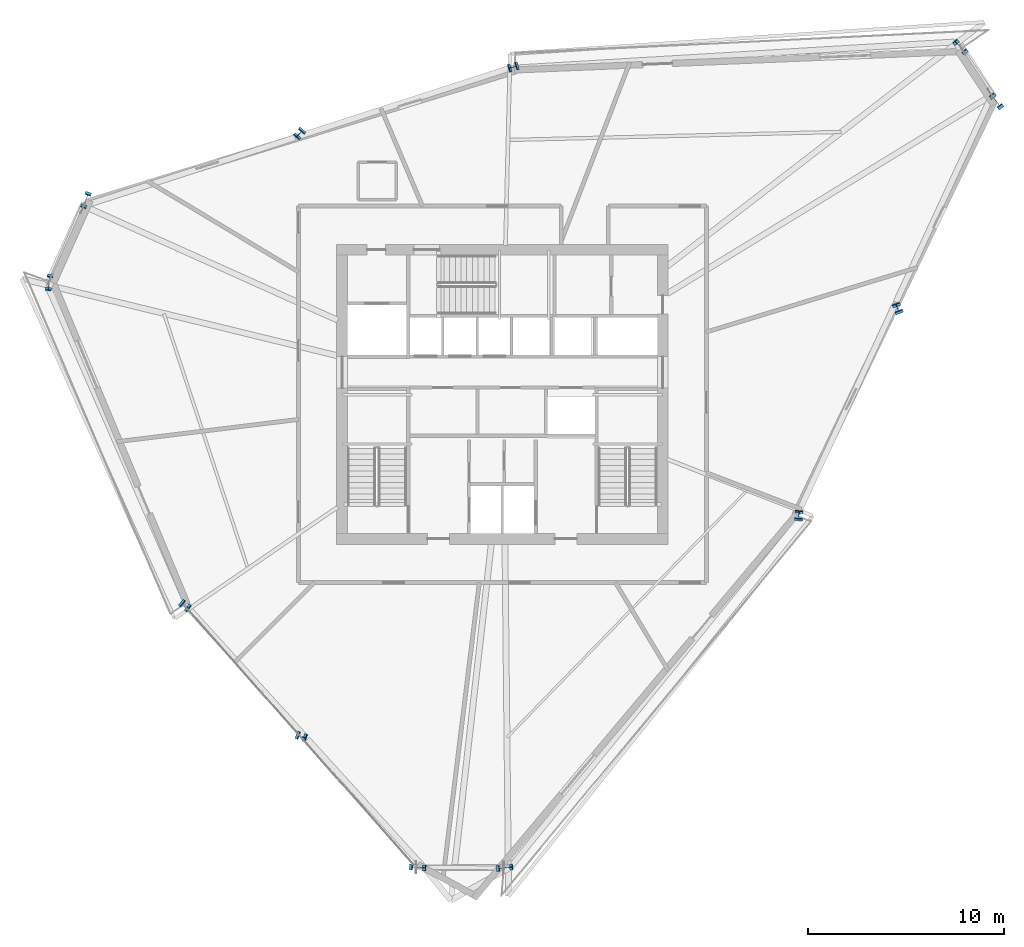
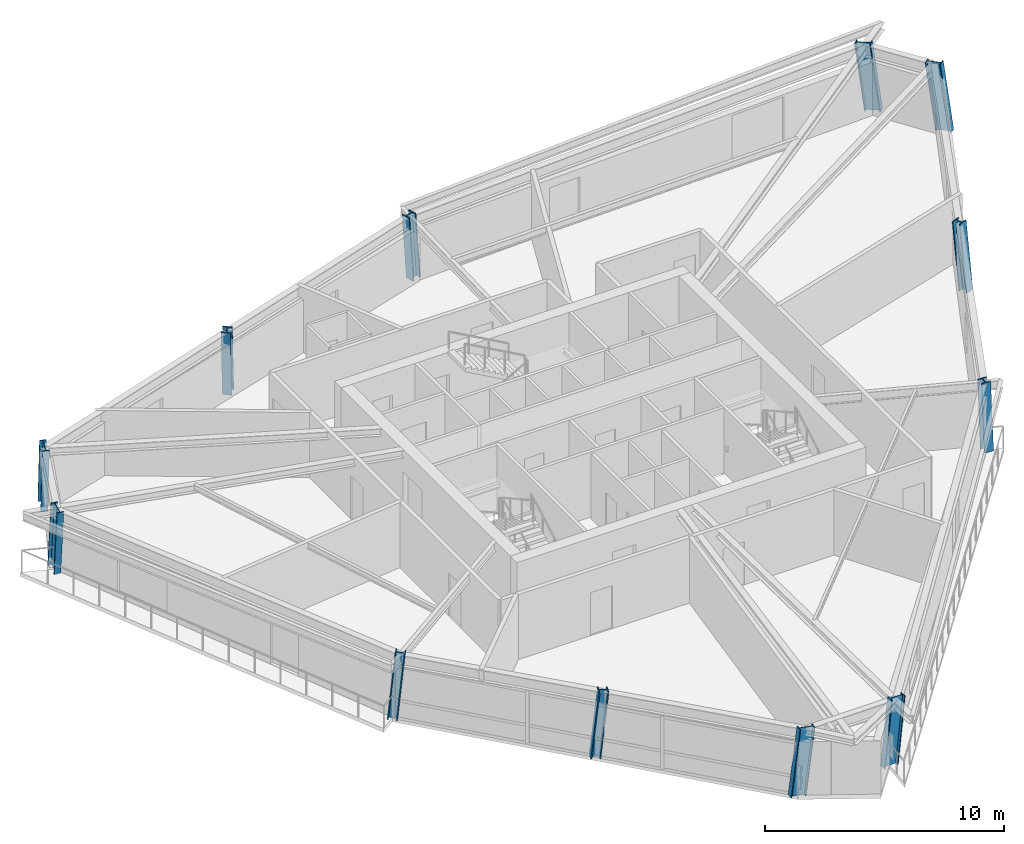
# One storey, part 1 of 13: 12 columns.
"""IFC4 building model written with IfcOpenShell, lengths in metres."""

from ifc_helpers import new_model, si_unit, direction, frame, origin, origin_2d, place, context, subcontext, project, spatial, i_section, extrude, source, transform, mapped, material, material_profile, profile_set, type_object, element, save


model = new_model("IFC4")

# Units and contexts
model_context = context("Model", 3, precision=1e-05, world=origin(), true_north=direction((0.0, 1.0)))
body_context = subcontext(model_context, "Body", "Model", "MODEL_VIEW")
ifc_project = project(units=[si_unit("LENGTHUNIT", "METRE"), si_unit("AREAUNIT", "SQUARE_METRE"), si_unit("VOLUMEUNIT", "CUBIC_METRE"), si_unit("PLANEANGLEUNIT", "RADIAN"), si_unit("MASSUNIT", "GRAM", prefix="KILO")], contexts=[model_context])

# Site, building, storey
site_placement = place(None, origin())
site = spatial("IfcSite", under=ifc_project, at=site_placement, CompositionType="ELEMENT")
building_placement = place(site_placement, origin())
building = spatial("IfcBuilding", under=site, at=building_placement, Name="Olszyna Solenne Hotel", CompositionType="ELEMENT")
storey_placement = place(building_placement, frame((0.0, 0.0, 171.449951171875)))
storey = spatial("IfcBuildingStorey", under=building, at=storey_placement, Name="L45", CompositionType="ELEMENT", Elevation=171.449951171875)

# Columns
ifc_material = material(Name="Steel S460M", Category="steel")
ifc_material_profile_1 = material_profile(ifc_material, i_section(OverallWidth=0.303955078125, OverallDepth=0.716064453125, WebThickness=0.02099609375, FlangeThickness=0.0400390625, at=origin_2d()), Name="HEM 700", Category="load-bearing")
ifc_profile_set_1 = profile_set([ifc_material_profile_1], Name="Steel S460M")
column_type_1 = type_object("IfcColumnType", Name="COL-K2", PredefinedType="COLUMN", material=ifc_profile_set_1)
shared_shape_1 = source(origin(), body_context, "Body", "SweptSolid", [
    extrude(i_section(OverallWidth=0.303955078125, OverallDepth=0.716064453125, WebThickness=0.02099609375, FlangeThickness=0.0400390625, at=origin_2d()), origin(), (0.0, 0.0, 1.0), 3.404296875),
])
column_1_placement = place(storey_placement, frame((38.05224609375, 2.450927734375, 0.0), z_axis=(0.105425268125, 0.01082939829, 0.99436826024), x_axis=(-0.102183402757, 0.994765576506, 0.0)))
element("IfcColumn", 1, at=column_1_placement, inside=storey, type_object=column_type_1, Name="Perimeter framed-tube column COL-K2 C-L45-10", PredefinedType="COLUMN", context=body_context, shape_type="MappedRepresentation", body=[
    mapped(shared_shape_1, transform((0.0, 0.0, 0.0), x_axis=(1.0, 0.0, 0.0), y_axis=(0.0, 1.0, 0.0), z_axis=(0.0, 0.0, 1.0), scale=1.0)),
])
ifc_material_profile_2 = material_profile(ifc_material, i_section(OverallWidth=0.412109375, OverallDepth=0.43505859375, WebThickness=0.031494140625, FlangeThickness=0.050048828125, at=origin_2d()), Name="HD 400x463", Category="load-bearing")
ifc_profile_set_2 = profile_set([ifc_material_profile_2], Name="Steel S460M")
column_type_2 = type_object("IfcColumnType", Name="COL-T3", PredefinedType="COLUMN", material=ifc_profile_set_2)
shared_shape_2 = source(origin(), body_context, "Body", "SweptSolid", [
    extrude(i_section(OverallWidth=0.412109375, OverallDepth=0.43505859375, WebThickness=0.031494140625, FlangeThickness=0.050048828125, at=origin_2d()), origin(), (0.0, 0.0, 1.0), 3.396240234375),
])
column_2_placement = place(storey_placement, frame((53.115478515625, 20.3701171875, 0.0), z_axis=(0.005750660519, 0.081443729594, 0.996661351119), x_axis=(-0.997516467009, 0.07043364286, 0.0)))
element("IfcColumn", 2, at=column_2_placement, inside=storey, type_object=column_type_2, Name="Perimeter framed-tube column COL-T3 C-L45-11", PredefinedType="COLUMN", context=body_context, shape_type="MappedRepresentation", body=[
    mapped(shared_shape_2, transform((0.0, 0.0, 0.0), x_axis=(1.0, 0.0, 0.0), y_axis=(0.0, 1.0, 0.0), z_axis=(0.0, 0.0, 1.0), scale=1.0)),
])
shared_shape_3 = source(origin(), body_context, "Body", "SweptSolid", [
    extrude(i_section(OverallWidth=0.412109375, OverallDepth=0.43505859375, WebThickness=0.031494140625, FlangeThickness=0.050048828125, at=origin_2d()), origin(), (0.0, 0.0, 1.0), 3.39794921875),
])
column_3_placement = place(storey_placement, frame((27.690185546875, 39.94189453125, 0.0), z_axis=(-0.057121293982, -0.065599674724, 0.996209737179), x_axis=(0.754160771495, -0.65668982841, 0.0)))
element("IfcColumn", 3, at=column_3_placement, inside=storey, type_object=column_type_2, Name="Perimeter framed-tube column COL-T3 C-L45-04", PredefinedType="COLUMN", context=body_context, shape_type="MappedRepresentation", body=[
    mapped(shared_shape_3, transform((0.0, 0.0, 0.0), x_axis=(1.0, 0.0, 0.0), y_axis=(0.0, 1.0, 0.0), z_axis=(0.0, 0.0, 1.0), scale=1.0)),
])
shared_shape_4 = source(origin(), body_context, "Body", "SweptSolid", [
    extrude(i_section(OverallWidth=0.303955078125, OverallDepth=0.716064453125, WebThickness=0.02099609375, FlangeThickness=0.0400390625, at=origin_2d()), origin(), (0.0, 0.0, 1.0), 3.407470703125),
])
column_4_placement = place(storey_placement, frame((16.780517578125, 36.578125, 0.0), z_axis=(-0.039120405694, -0.107688589299, 0.993414697693), x_axis=(0.939902925785, -0.341441781423, 0.0)))
element("IfcColumn", 4, at=column_4_placement, inside=storey, type_object=column_type_1, Name="Perimeter framed-tube column COL-K2 C-L45-05", PredefinedType="COLUMN", context=body_context, shape_type="MappedRepresentation", body=[
    mapped(shared_shape_4, transform((0.0, 0.0, 0.0), x_axis=(1.0, 0.0, 0.0), y_axis=(0.0, 1.0, 0.0), z_axis=(0.0, 0.0, 1.0), scale=1.0)),
])
shared_shape_5 = source(origin(), body_context, "Body", "SweptSolid", [
    extrude(i_section(OverallWidth=0.412109375, OverallDepth=0.43505859375, WebThickness=0.031494140625, FlangeThickness=0.050048828125, at=origin_2d()), origin(), (0.0, 0.0, 1.0), 3.40380859375),
])
column_5_placement = place(storey_placement, frame((58.18212890625, 30.92138671875, 0.0), z_axis=(-0.038804856025, 0.0971914601, 0.994508925668), x_axis=(-0.928712846652, -0.370799741726, 0.0)))
element("IfcColumn", 5, at=column_5_placement, inside=storey, type_object=column_type_2, Name="Perimeter framed-tube column COL-T3 C-L45-12", PredefinedType="COLUMN", context=body_context, shape_type="MappedRepresentation", body=[
    mapped(shared_shape_5, transform((0.0, 0.0, 0.0), x_axis=(1.0, 0.0, 0.0), y_axis=(0.0, 1.0, 0.0), z_axis=(0.0, 0.0, 1.0), scale=1.0)),
])
shared_shape_6 = source(origin(), body_context, "Body", "SweptSolid", [
    extrude(i_section(OverallWidth=0.303955078125, OverallDepth=0.716064453125, WebThickness=0.02099609375, FlangeThickness=0.0400390625, at=origin_2d()), origin(), (0.0, 0.0, 1.0), 3.418701171875),
])
column_6_placement = place(storey_placement, frame((63.248779296875, 41.47265625, 0.0), z_axis=(-0.082983372602, 0.112691705651, 0.99015874452), x_axis=(-0.805235363414, -0.592955318306, 0.0)))
element("IfcColumn", 6, at=column_6_placement, inside=storey, type_object=column_type_1, Name="Perimeter framed-tube column COL-K2 C-L45-01", PredefinedType="COLUMN", context=body_context, shape_type="MappedRepresentation", body=[
    mapped(shared_shape_6, transform((0.0, 0.0, 0.0), x_axis=(1.0, 0.0, 0.0), y_axis=(0.0, 1.0, 0.0), z_axis=(0.0, 0.0, 1.0), scale=1.0)),
])
shared_shape_7 = source(origin(), body_context, "Body", "SweptSolid", [
    extrude(i_section(OverallWidth=0.303955078125, OverallDepth=0.716064453125, WebThickness=0.02099609375, FlangeThickness=0.0400390625, at=origin_2d()), origin(), (0.0, 0.0, 1.0), 3.414306640625),
])
column_7_placement = place(storey_placement, frame((61.41357421875, 44.250244140625, 0.0), z_axis=(-0.089455445649, 0.095033003411, 0.991446645819), x_axis=(-0.728151735963, -0.685415968164, 0.0)))
element("IfcColumn", 7, at=column_7_placement, inside=storey, type_object=column_type_1, Name="Perimeter framed-tube column COL-K2 C-L45-02", PredefinedType="COLUMN", context=body_context, shape_type="MappedRepresentation", body=[
    mapped(shared_shape_7, transform((0.0, 0.0, 0.0), x_axis=(1.0, 0.0, 0.0), y_axis=(0.0, 1.0, 0.0), z_axis=(0.0, 0.0, 1.0), scale=1.0)),
])
shared_shape_8 = source(origin(), body_context, "Body", "SweptSolid", [
    extrude(i_section(OverallWidth=0.303955078125, OverallDepth=0.716064453125, WebThickness=0.02099609375, FlangeThickness=0.0400390625, at=origin_2d()), origin(), (0.0, 0.0, 1.0), 3.403076171875),
])
column_8_placement = place(storey_placement, frame((14.896728515625, 32.3662109375, 0.0), z_axis=(-0.013487340046, -0.102015944389, 0.994691328377), x_axis=(0.991373426138, -0.131067654089, 0.0)))
element("IfcColumn", 8, at=column_8_placement, inside=storey, type_object=column_type_1, Name="Perimeter framed-tube column COL-K2 C-L45-06", PredefinedType="COLUMN", context=body_context, shape_type="MappedRepresentation", body=[
    mapped(shared_shape_8, transform((0.0, 0.0, 0.0), x_axis=(1.0, 0.0, 0.0), y_axis=(0.0, 1.0, 0.0), z_axis=(0.0, 0.0, 1.0), scale=1.0)),
])
shared_shape_9 = source(origin(), body_context, "Body", "SweptSolid", [
    extrude(i_section(OverallWidth=0.412109375, OverallDepth=0.43505859375, WebThickness=0.031494140625, FlangeThickness=0.050048828125, at=origin_2d()), origin(), (0.0, 0.0, 1.0), 3.400146484375),
])
column_9_placement = place(storey_placement, frame((21.765380859375, 15.866943359375, 0.0), z_axis=(0.073239735945, -0.059166218058, 0.995557783215), x_axis=(0.628408110419, 0.777883826004, 0.0)))
element("IfcColumn", 9, at=column_9_placement, inside=storey, type_object=column_type_2, Name="Perimeter framed-tube column COL-T3 C-L45-07", PredefinedType="COLUMN", context=body_context, shape_type="MappedRepresentation", body=[
    mapped(shared_shape_9, transform((0.0, 0.0, 0.0), x_axis=(1.0, 0.0, 0.0), y_axis=(0.0, 1.0, 0.0), z_axis=(0.0, 0.0, 1.0), scale=1.0)),
])
shared_shape_10 = source(origin(), body_context, "Body", "SweptSolid", [
    extrude(i_section(OverallWidth=0.412109375, OverallDepth=0.43505859375, WebThickness=0.031494140625, FlangeThickness=0.050048828125, at=origin_2d()), origin(), (0.0, 0.0, 1.0), 3.403076171875),
])
column_10_placement = place(storey_placement, frame((27.686767578125, 9.174560546875, 0.0), z_axis=(0.096780877737, -0.034364744578, 0.994712283042), x_axis=(0.334609979433, 0.94235670617, 0.0)))
element("IfcColumn", 10, at=column_10_placement, inside=storey, type_object=column_type_2, Name="Perimeter framed-tube column COL-T3 C-L45-08", PredefinedType="COLUMN", context=body_context, shape_type="MappedRepresentation", body=[
    mapped(shared_shape_10, transform((0.0, 0.0, 0.0), x_axis=(1.0, 0.0, 0.0), y_axis=(0.0, 1.0, 0.0), z_axis=(0.0, 0.0, 1.0), scale=1.0)),
])
shared_shape_11 = source(origin(), body_context, "Body", "SweptSolid", [
    extrude(i_section(OverallWidth=0.303955078125, OverallDepth=0.716064453125, WebThickness=0.02099609375, FlangeThickness=0.0400390625, at=origin_2d()), origin(), (0.0, 0.0, 1.0), 3.409912109375),
])
column_11_placement = place(storey_placement, frame((33.60791015625, 2.48193359375, 0.0), z_axis=(0.120212585637, -0.00952249785, 0.992702501402), x_axis=(0.078966454685, 0.996877273808, 0.0)))
element("IfcColumn", 11, at=column_11_placement, inside=storey, type_object=column_type_1, Name="Perimeter framed-tube column COL-K2 C-L45-09", PredefinedType="COLUMN", context=body_context, shape_type="MappedRepresentation", body=[
    mapped(shared_shape_11, transform((0.0, 0.0, 0.0), x_axis=(1.0, 0.0, 0.0), y_axis=(0.0, 1.0, 0.0), z_axis=(0.0, 0.0, 1.0), scale=1.0)),
])
shared_shape_12 = source(origin(), body_context, "Body", "SweptSolid", [
    extrude(i_section(OverallWidth=0.412109375, OverallDepth=0.43505859375, WebThickness=0.031494140625, FlangeThickness=0.050048828125, at=origin_2d()), origin(), (0.0, 0.0, 1.0), 3.3955078125),
])
column_12_placement = place(storey_placement, frame((38.60009765625, 43.305908203125, 0.0), z_axis=(-0.075279188452, -0.023223665587, 0.99689202281), x_axis=(0.29479123516, -0.955561681773, 0.0)))
element("IfcColumn", 12, at=column_12_placement, inside=storey, type_object=column_type_2, Name="Perimeter framed-tube column COL-T3 C-L45-03", PredefinedType="COLUMN", context=body_context, shape_type="MappedRepresentation", body=[
    mapped(shared_shape_12, transform((0.0, 0.0, 0.0), x_axis=(1.0, 0.0, 0.0), y_axis=(0.0, 1.0, 0.0), z_axis=(0.0, 0.0, 1.0), scale=1.0)),
])

save(model, "model.ifc")
